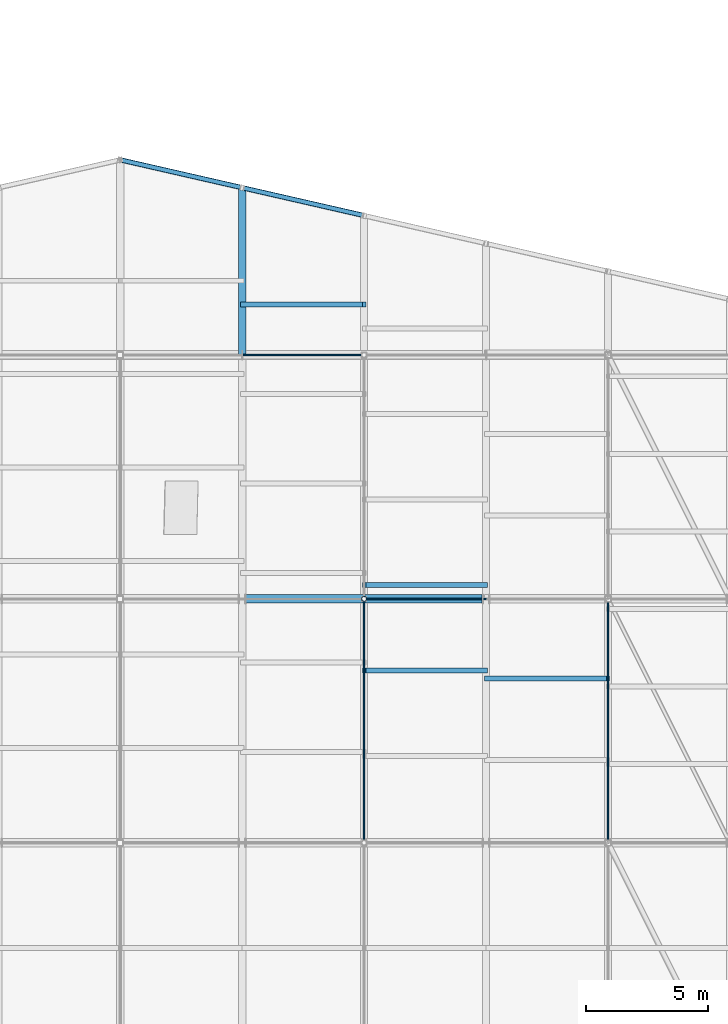
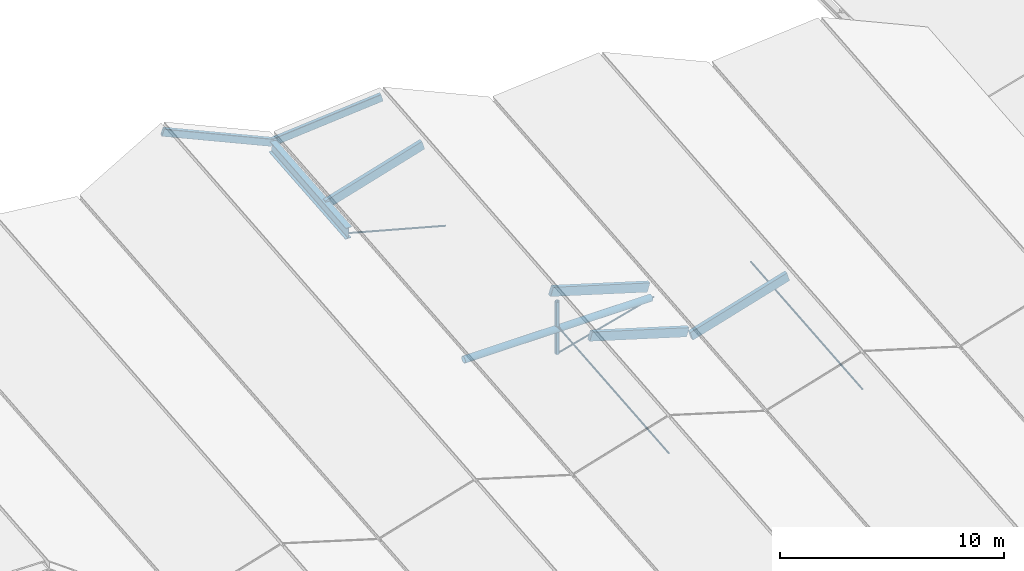
# One storey, part 52 of 90: 9 members, 4 beams.
"""IFC4 building model written with IfcOpenShell, lengths in metres."""

from ifc_helpers import new_model, si_unit, direction, frame, origin, origin_2d, place, context, subcontext, project, spatial, rectangle, hollow_rectangle, circle, hollow_circle, i_section, extrude, material, material_profile, profile_set, type_object, element, save


model = new_model("IFC4")

# Units and contexts
model_context = context("Model", 3, precision=1e-05, world=origin(), true_north=direction((0.0, 1.0)))
body_context = subcontext(model_context, "Body", "Model", "MODEL_VIEW")
ifc_project = project(units=[si_unit("LENGTHUNIT", "METRE"), si_unit("AREAUNIT", "SQUARE_METRE"), si_unit("VOLUMEUNIT", "CUBIC_METRE"), si_unit("PLANEANGLEUNIT", "RADIAN"), si_unit("MASSUNIT", "GRAM", prefix="KILO"), si_unit("THERMODYNAMICTEMPERATUREUNIT", "KELVIN"), si_unit("POWERUNIT", "WATT")], contexts=[model_context])

# Site, building, storey
site_placement = place(None, origin())
site = spatial("IfcSite", under=ifc_project, at=site_placement, CompositionType="ELEMENT")
building_placement = place(site_placement, origin())
building = spatial("IfcBuilding", under=site, at=building_placement, Name="Korenveer Ferry Terminal", CompositionType="ELEMENT")
storey_placement = place(building_placement, frame((0.0, 0.0, 22.199951171875)))
storey = spatial("IfcBuildingStorey", under=building, at=storey_placement, Name="RF", CompositionType="ELEMENT", Elevation=22.199951171875)

# Beam
ifc_material_1 = material(Name="Steel S355", Category="steel")
ifc_material_profile_1 = material_profile(ifc_material_1, i_section(OverallWidth=0.300048828125, OverallDepth=0.64990234375, WebThickness=0.01611328125, FlangeThickness=0.031005859375, FilletRadius=0.027099609375, at=origin_2d()), Name="HEB 650")
ifc_profile_set_1 = profile_set([ifc_material_profile_1], Name="Steel S355")
beam_type_1 = type_object("IfcBeamType", Name="STR-BM-HEB650", PredefinedType="BEAM", material=ifc_profile_set_1)
beam_1_placement = place(storey_placement, frame((93.0, 100.0, -4.1376953125), z_axis=(0.0, 0.995903953046, 0.090417455772), x_axis=(-1.0, 0.0, 0.0)))
element("IfcBeam", 1, at=beam_1_placement, inside=storey, type_object=beam_type_1, Name="Folded roof valley girder 42", PredefinedType="BEAM", context=body_context, shape_type="SweptSolid", body=[
    extrude(i_section(OverallWidth=0.300048828125, OverallDepth=0.64990234375, WebThickness=0.01611328125, FlangeThickness=0.031005859375, FilletRadius=0.027099609375, at=origin_2d()), origin(), (0.0, 0.0, 1.0), 6.885498046875),
])

# Members
ifc_material_2 = material(Name="High-strength steel S460", Category="steel")
ifc_material_profile_2 = material_profile(ifc_material_2, circle(Radius=0.044921875, at=origin_2d()), Name="ROD D90")
ifc_profile_set_2 = profile_set([ifc_material_profile_2], Name="High-strength steel S460")
member_type_1 = type_object("IfcMemberType", Name="STR-CBL-D90", PredefinedType="USERDEFINED", material=ifc_profile_set_2)
for number, where, z_axis, x_axis, name in (
    (2, (103.0, 90.0, -5.045654296875), (-0.965424337217, 0.0, -0.260683426993), (0.0, -1.0, 0.0), "Roof tension tie cable 80"),
    (3, (93.0, 100.0, -4.1376953125), (0.965424337217, 0.0, -0.260683426993), (0.0, 1.0, 0.0), "Roof tension tie cable 93"),
):
    element("IfcMember", number, at=place(storey_placement, frame(where, z_axis=z_axis, x_axis=x_axis)), inside=storey, type_object=member_type_1, Name=name, ObjectType="CABLE", PredefinedType="USERDEFINED", context=body_context, shape_type="SweptSolid", body=[
        extrude(circle(Radius=0.044921875, at=origin_2d()), origin(), (0.0, 0.0, 1.0), 5.178955078125),
    ])
for number, where, z_axis, x_axis, name in (
    (4, (98.0, 80.0, -5.7939453125), (0.0, 0.995903364261, 0.090423940715), (-1.0, 0.0, 0.0), "Longitudinal jaw-stay cable 122"),
    (5, (108.0, 80.0, -5.7939453125), (0.0, 0.995903364261, 0.090423940715), (-1.0, 0.0, 0.0), "Longitudinal jaw-stay cable 127"),
):
    element("IfcMember", number, at=place(storey_placement, frame(where, z_axis=z_axis, x_axis=x_axis)), inside=storey, type_object=member_type_1, Name=name, ObjectType="CABLE", PredefinedType="USERDEFINED", context=body_context, shape_type="SweptSolid", body=[
        extrude(circle(Radius=0.044921875, at=origin_2d()), origin(), (0.0, 0.0, 1.0), 10.041015625),
    ])
ifc_material_3 = material(Name="Glulam GL28h", Category="wood")
ifc_material_profile_3 = material_profile(ifc_material_3, rectangle(XDim=0.199951171875, YDim=0.47998046875, at=origin_2d()), Name="GL 200x480")
ifc_profile_set_3 = profile_set([ifc_material_profile_3], Name="Glulam GL28h")
member_type_2 = type_object("IfcMemberType", Name="STR-PUR-GL200", PredefinedType="PURLIN", material=ifc_profile_set_3)
for number, where, z_axis, x_axis, name in (
    (6, (93.0, 102.063720703125, -3.7919921875), (0.957310140112, 0.0, 0.289062788401), (0.0, 1.0, 0.0), "Folded roof glulam purlin 174"),
    (7, (98.0, 87.061279296875, -3.64453125), (0.957323074362, 0.0, -0.289019949647), (0.0, 1.0, 0.0), "Folded roof glulam purlin 176"),
    (8, (98.0, 90.567138671875, -3.326171875), (0.957310140112, 0.0, -0.289062788401), (0.0, 1.0, 0.0), "Folded roof glulam purlin 177"),
    (9, (103.0, 86.73486328125, -5.183837890625), (0.957310140112, 0.0, 0.289062788401), (0.0, 1.0, 0.0), "Folded roof glulam purlin 206"),
):
    element("IfcMember", number, at=place(storey_placement, frame(where, z_axis=z_axis, x_axis=x_axis)), inside=storey, type_object=member_type_2, Name=name, PredefinedType="PURLIN", context=body_context, shape_type="SweptSolid", body=[
        extrude(rectangle(XDim=0.199951171875, YDim=0.47998046875, at=origin_2d()), origin(), (0.0, 0.0, 1.0), 5.222900390625),
    ])

# Beams
ifc_material_profile_4 = material_profile(ifc_material_1, hollow_circle(Radius=0.177734375, WallThickness=0.01611328125, at=origin_2d()), Name="CHS 355.6x16")
ifc_profile_set_4 = profile_set([ifc_material_profile_4], Name="Steel S355")
beam_type_2 = type_object("IfcBeamType", Name="STR-RFG-CHS355", PredefinedType="USERDEFINED", material=ifc_profile_set_4)
beam_2_placement = place(storey_placement, frame((93.159912109375, 90.0, -5.045654296875), z_axis=(1.0, 0.0, 0.0), x_axis=(0.0, 1.0, 0.0)))
element("IfcBeam", 10, at=beam_2_placement, inside=storey, type_object=beam_type_2, Name="Roof transverse tie girder 128", ObjectType="ROOF GIRDER", PredefinedType="USERDEFINED", context=body_context, shape_type="SweptSolid", body=[
    extrude(hollow_circle(Radius=0.177734375, WallThickness=0.01611328125, at=origin_2d()), origin(), (0.0, 0.0, 1.0), 9.68017578125),
])
ifc_material_profile_5 = material_profile(ifc_material_1, hollow_rectangle(XDim=0.199951171875, YDim=0.39990234375, WallThickness=0.01611328125, InnerFilletRadius=0.01611328125, OuterFilletRadius=0.02392578125, at=origin_2d()), Name="RHS 400x200x16")
ifc_profile_set_5 = profile_set([ifc_material_profile_5], Name="Steel S355")
beam_type_3 = type_object("IfcBeamType", Name="STR-SPD-RHS400", PredefinedType="SPANDREL", material=ifc_profile_set_5)
beam_3_placement = place(storey_placement, frame((88.0, 108.0, -1.70166015625), z_axis=(0.92992872309, -0.212548650038, -0.300092721236), x_axis=(0.222818339044, 0.974859983683, 0.0)))
element("IfcBeam", 11, at=beam_3_placement, inside=storey, type_object=beam_type_3, Name="Prow roof perimeter ring beam BMFSC-B3-88", PredefinedType="SPANDREL", context=body_context, shape_type="SweptSolid", body=[
    extrude(hollow_rectangle(XDim=0.199951171875, YDim=0.39990234375, WallThickness=0.01611328125, InnerFilletRadius=0.01611328125, OuterFilletRadius=0.02392578125, at=origin_2d()), origin(), (0.0, 0.0, 1.0), 5.376708984375),
])
beam_4_placement = place(storey_placement, frame((93.0, 106.857177734375, -3.315185546875), z_axis=(0.940173643444, -0.214890274656, 0.264377930302), x_axis=(0.222818339044, 0.974859983683, 0.0)))
element("IfcBeam", 12, at=beam_4_placement, inside=storey, type_object=beam_type_3, Name="Prow roof perimeter ring beam BMFSC-B4-93", PredefinedType="SPANDREL", context=body_context, shape_type="SweptSolid", body=[
    extrude(hollow_rectangle(XDim=0.199951171875, YDim=0.39990234375, WallThickness=0.01611328125, InnerFilletRadius=0.01611328125, OuterFilletRadius=0.02392578125, at=origin_2d()), origin(), (0.0, 0.0, 1.0), 5.318115234375),
])

# Member
ifc_material_profile_6 = material_profile(ifc_material_1, hollow_circle(Radius=0.109619140625, WallThickness=0.012451171875, at=origin_2d()), Name="CHS 219.1x12.5")
ifc_profile_set_6 = profile_set([ifc_material_profile_6], Name="Steel S355")
member_type_3 = type_object("IfcMemberType", Name="STR-STT-CHS219", PredefinedType="STRUT", material=ifc_profile_set_6)
member_placement = place(storey_placement, frame((98.0, 90.0, -6.395751953125), z_axis=(0.0, 0.0, 1.0), x_axis=(1.0, 0.0, 0.0)))
element("IfcMember", 13, at=member_placement, inside=storey, type_object=member_type_3, Name="Roof king-post strut STTKP-Y90-B4", PredefinedType="STRUT", context=body_context, shape_type="SweptSolid", body=[
    extrude(hollow_circle(Radius=0.109619140625, WallThickness=0.012451171875, at=origin_2d()), origin(), (0.0, 0.0, 1.0), 2.85986328125),
])

save(model, "model.ifc")
